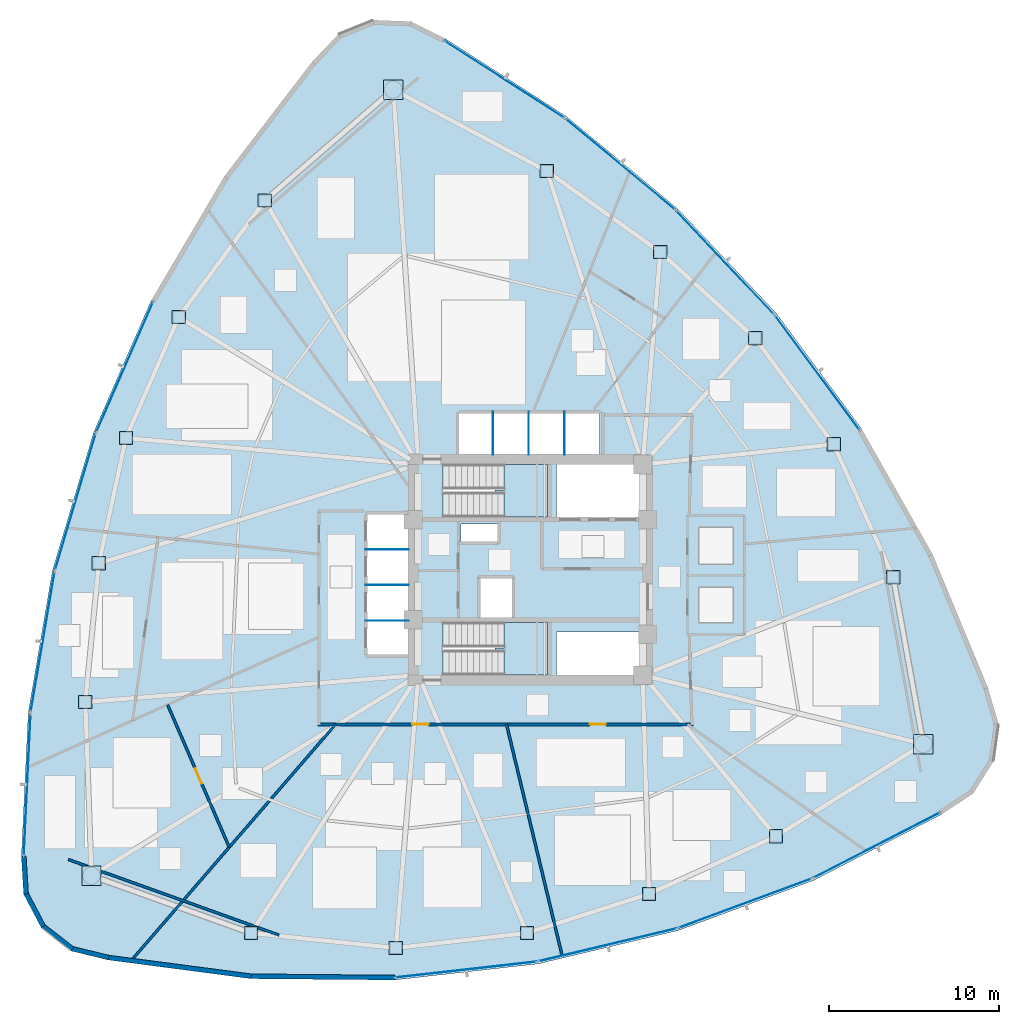
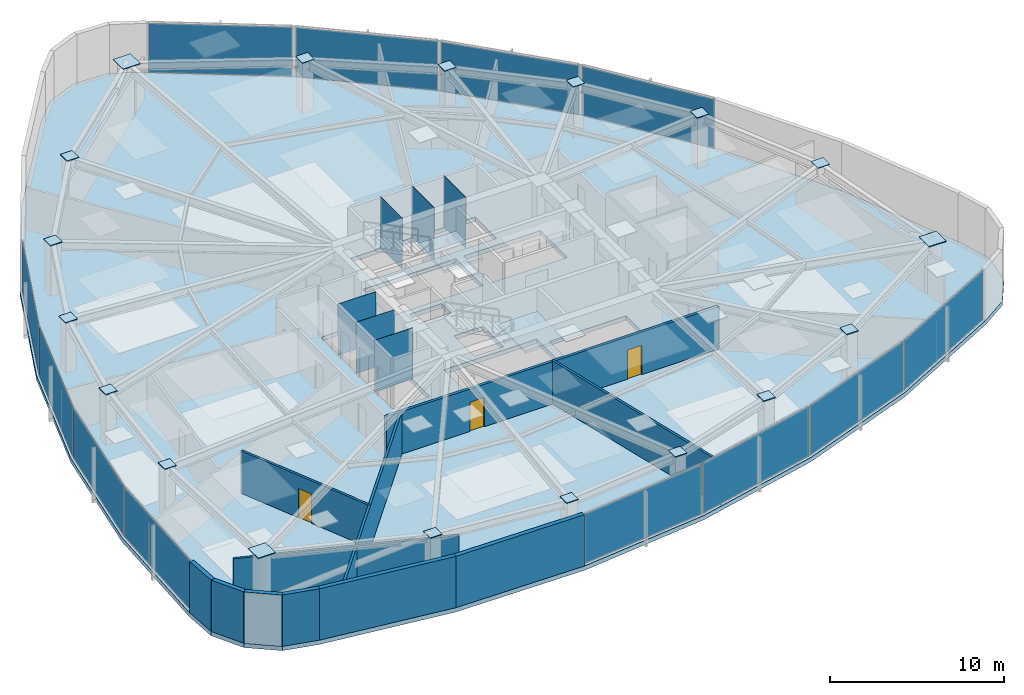
# One storey, part 10 of 17: 36 plates, 11 walls, 3 doors, 3 slabs, 3 openings, 14 elements without a shape of their own.
"""IFC4 building model written with IfcOpenShell, lengths in metres."""

from ifc_helpers import new_model, si_unit, direction, frame, frame_2d, origin, origin_2d, place, context, subcontext, project, spatial, polyline, rectangle, outline, extrude, source, transform, mapped, material, layer, layer_set, type_object, type_shapes, element, fill, aggregate, save


model = new_model("IFC4")

# Units and contexts
model_context = context("Model", 3, precision=1e-05, world=origin(), true_north=direction((0.0, 1.0)))
body_context = subcontext(model_context, "Body", "Model", "MODEL_VIEW")
ifc_project = project(units=[si_unit("LENGTHUNIT", "METRE"), si_unit("AREAUNIT", "SQUARE_METRE"), si_unit("VOLUMEUNIT", "CUBIC_METRE"), si_unit("PLANEANGLEUNIT", "RADIAN"), si_unit("MASSUNIT", "GRAM", prefix="KILO")], contexts=[model_context])

# Site, building, storey
site_placement = place(None, origin())
site = spatial("IfcSite", under=ifc_project, at=site_placement, CompositionType="ELEMENT")
building_placement = place(site_placement, origin())
building = spatial("IfcBuilding", under=site, at=building_placement, Name="Tavelor Broadcast Tower", CompositionType="ELEMENT")
storey_placement = place(building_placement, frame((0.0, 0.0, 66.60009765625)))
storey = spatial("IfcBuildingStorey", under=building, at=storey_placement, Name="L15", CompositionType="ELEMENT", Elevation=66.60009765625)

# Stair, slab
ifc_material_1 = material(Name="Concrete C40/50", Category="concrete")
stair_type = type_object("IfcStairType", Name="Reinforced Concrete Protected Dogleg Stair 1450 mm", PredefinedType="HALF_TURN_STAIR", material=ifc_material_1)
stair_1_placement = place(storey_placement, origin())
stair_1 = element("IfcStair", 1, at=stair_1_placement, inside=storey, type_object=stair_type, Name="L15 Protected Core Exit Stair ST1", PredefinedType="HALF_TURN_STAIR")
ifc_layer_1 = layer(ifc_material_1, 0.199951171875)
ifc_layer_set_1 = layer_set([ifc_layer_1], Name="Concrete C40/50")
slab_type_1 = type_object("IfcSlabType", Name="Reinforced Concrete Stair Half-Landing Slab 200 mm", PredefinedType="LANDING", material=ifc_layer_set_1)
slab_1_placement = place(storey_placement, frame((0.0, 0.0, 1.75)))
slab_1 = element("IfcSlab", 2, at=slab_1_placement, type_object=slab_type_1, Name="ST1 landing 1", PredefinedType="LANDING", context=body_context, shape_type="SweptSolid", body=[
    extrude(outline(polyline([(48.445068359375, 49.590087890625), (48.445068359375, 48.094970703125), (51.0048828125, 48.094970703125), (51.0048828125, 51.205078125), (48.445068359375, 51.205078125), (48.445068359375, 49.7099609375), (47.905029296875, 49.7099609375), (47.905029296875, 49.590087890625), (48.445068359375, 49.590087890625)])), origin(), (0.0, 0.0, 1.0), 0.199951171875),
])
aggregate(stair_1, [slab_1])

stair_2_placement = place(storey_placement, origin())
stair_2 = element("IfcStair", 3, at=stair_2_placement, inside=storey, type_object=stair_type, Name="L15 Protected Core Exit Stair ST2", PredefinedType="HALF_TURN_STAIR")
slab_2_placement = place(storey_placement, frame((0.0, 0.0, 1.75)))
slab_2 = element("IfcSlab", 4, at=slab_2_placement, type_object=slab_type_1, Name="ST2 landing 1", PredefinedType="LANDING", context=body_context, shape_type="SweptSolid", body=[
    extrude(outline(polyline([(48.445068359375, 40.2900390625), (48.445068359375, 38.794921875), (51.0048828125, 38.794921875), (51.0048828125, 41.905029296875), (48.445068359375, 41.905029296875), (48.445068359375, 40.409912109375), (47.905029296875, 40.409912109375), (47.905029296875, 40.2900390625), (48.445068359375, 40.2900390625)])), origin(), (0.0, 0.0, 1.0), 0.199951171875),
])
aggregate(stair_2, [slab_2])

# Slab
ifc_layer_2 = layer(ifc_material_1, 0.300048828125)
ifc_layer_set_2 = layer_set([ifc_layer_2], Name="Concrete C40/50")
slab_type_2 = type_object("IfcSlabType", Name="Tower Composite Floor Slab 300 mm", PredefinedType="FLOOR", material=ifc_layer_set_2)
slab_3_placement = place(storey_placement, frame((0.0, 0.0, -0.300048828125)))
element("IfcSlab", 5, at=slab_3_placement, inside=storey, type_object=slab_type_2, Name="L15 Structural Floor Slab", PredefinedType="FLOOR", context=body_context, shape_type="SweptSolid", body=[
    extrude(outline(polyline([(44.9736328125, 76.27099609375), (42.97998046875, 77.26708984375), (40.753173828125, 77.354736328125), (38.6875, 76.51806640625), (37.1494140625, 74.905517578125), (31.98828125, 68.173583984375), (27.6796875, 60.86669921875), (24.287109375, 53.09228515625), (21.860107421875, 44.964111328125), (20.434814453125, 36.602294921875), (20.031494140625, 28.129150390625), (20.165771484375, 25.904541015625), (21.203369140625, 23.932373046875), (22.960693359375, 22.56201171875), (25.126220703125, 22.035888671875), (33.536865234375, 20.93212890625), (42.01904296875, 20.8544921875), (50.448486328125, 21.803466796875), (58.700927734375, 23.765869140625), (66.655517578125, 26.71240234375), (74.19482421875, 30.599853515625), (76.05419921875, 31.828125), (77.243408203125, 33.712890625), (77.5517578125, 35.920166015625), (76.92431640625, 38.05859375), (73.6748046875, 45.89404296875), (69.501220703125, 53.27880859375), (64.464599609375, 60.104248046875), (58.638916015625, 66.27001953125), (52.10986328125, 71.685546875), (44.9736328125, 76.27099609375)]), holes=[polyline([(56.60009765625, 38.800048828125), (51.52001953125, 38.800048828125), (51.52001953125, 41.35009765625), (56.60009765625, 41.35009765625), (56.60009765625, 38.800048828125)]), polyline([(50.99609375, 38.803955078125), (44.85400390625, 38.803955078125), (44.85400390625, 41.89599609375), (50.99609375, 41.89599609375), (50.99609375, 38.803955078125)]), polyline([(47.050048828125, 42.199951171875), (47.050048828125, 44.550048828125), (48.949951171875, 44.550048828125), (48.949951171875, 42.199951171875), (47.050048828125, 42.199951171875)]), polyline([(40.35009765625, 40.0), (40.35009765625, 48.25), (42.800048828125, 48.25), (42.800048828125, 40.0), (40.35009765625, 40.0)]), polyline([(48.050048828125, 46.64990234375), (45.89990234375, 46.64990234375), (45.89990234375, 47.699951171875), (48.050048828125, 47.699951171875), (48.050048828125, 46.64990234375)]), polyline([(50.99609375, 48.10400390625), (44.85400390625, 48.10400390625), (44.85400390625, 51.196044921875), (50.99609375, 51.196044921875), (50.99609375, 48.10400390625)]), polyline([(56.60009765625, 48.10009765625), (51.52001953125, 48.10009765625), (51.52001953125, 51.199951171875), (56.60009765625, 51.199951171875), (56.60009765625, 48.10009765625)]), polyline([(54.050048828125, 51.800048828125), (45.800048828125, 51.800048828125), (45.800048828125, 54.25), (54.050048828125, 54.25), (54.050048828125, 51.800048828125)])]), origin(), (0.0, 0.0, 1.0), 0.300048828125),
])

# Plates
ifc_material_2 = material(Name="Steel S460", Category="steel")
ifc_layer_3 = layer(ifc_material_2, 0.050048828125)
ifc_layer_set_3 = layer_set([ifc_layer_3], Name="Steel S460")
plate_type_1 = type_object("IfcPlateType", Name="Tube Hollow-End Cap Plate KN05 700x700x50", PredefinedType="USERDEFINED", material=ifc_layer_set_3)
shared_shape_1 = source(origin(), body_context, "Body", "SweptSolid", [
    extrude(rectangle(XDim=1.14697265625, YDim=1.14697265625, at=origin_2d()), origin(), (0.0, 0.0, 1.0), 0.054931640625),
])
for number, where, z_axis, x_axis, name in (
    (6, (41.923095703125, 73.266357421875, 3.572265625), (0.0, 0.0, 1.0), (1.0, 0.0, 0.0), "L15 Hollow End Cap Plate KN05 #472"),
    (7, (24.1591796875, 26.98974609375, 3.572265625), (0.0, 0.0, 1.0), (1.0, 0.0, 0.0), "L15 Hollow End Cap Plate KN05 #478"),
    (8, (73.117919921875, 34.743896484375, 3.572265625), (0.0, 0.0, 1.0), (1.0, 0.0, 0.0), "L15 Hollow End Cap Plate KN05 #484"),
):
    element("IfcPlate", number, at=place(storey_placement, frame(where, z_axis=z_axis, x_axis=x_axis)), inside=storey, type_object=plate_type_1, Name=name, ObjectType="CAP PLATE", PredefinedType="USERDEFINED", context=body_context, shape_type="MappedRepresentation", body=[
        mapped(shared_shape_1, transform((0.0, 0.0, 0.0), scale=1.0)),
    ])
shared_shape_2 = source(origin(), body_context, "Body", "SweptSolid", [
    extrude(rectangle(XDim=0.780029296875, YDim=0.780029296875, at=origin_2d()), origin(), (0.0, 0.0, 1.0), 0.054931640625),
])
type_shapes(plate_type_1, [shared_shape_1, shared_shape_2])
for number, where, z_axis, x_axis, name in (
    (9, (34.356201171875, 66.727783203125, 3.572265625), (0.0, 0.0, 1.0), (1.0, 0.0, 0.0), "L15 Hollow End Cap Plate KN05 #473"),
    (10, (29.292236328125, 59.87158203125, 3.572265625), (0.0, 0.0, 1.0), (1.0, 0.0, 0.0), "L15 Hollow End Cap Plate KN05 #474"),
    (11, (26.189208984375, 52.75830078125, 3.572265625), (0.0, 0.0, 1.0), (1.0, 0.0, 0.0), "L15 Hollow End Cap Plate KN05 #475"),
    (12, (24.58984375, 45.380615234375, 3.572265625), (0.0, 0.0, 1.0), (1.0, 0.0, 0.0), "L15 Hollow End Cap Plate KN05 #476"),
    (13, (23.794677734375, 37.21630859375, 3.572265625), (0.0, 0.0, 1.0), (1.0, 0.0, 0.0), "L15 Hollow End Cap Plate KN05 #477"),
    (14, (33.55078125, 23.615478515625, 3.572265625), (0.0, 0.0, 1.0), (1.0, 0.0, 0.0), "L15 Hollow End Cap Plate KN05 #479"),
    (15, (42.0732421875, 22.740478515625, 3.572265625), (0.0, 0.0, 1.0), (1.0, 0.0, 0.0), "L15 Hollow End Cap Plate KN05 #480"),
    (16, (49.78662109375, 23.617919921875, 3.572265625), (0.0, 0.0, 1.0), (1.0, 0.0, 0.0), "L15 Hollow End Cap Plate KN05 #481"),
    (17, (56.975341796875, 25.92138671875, 3.572265625), (0.0, 0.0, 1.0), (1.0, 0.0, 0.0), "L15 Hollow End Cap Plate KN05 #482"),
    (18, (64.443603515625, 29.31494140625, 3.572265625), (0.0, 0.0, 1.0), (1.0, 0.0, 0.0), "L15 Hollow End Cap Plate KN05 #483"),
    (19, (71.343994140625, 44.564697265625, 3.572265625), (0.0, 0.0, 1.0), (1.0, 0.0, 0.0), "L15 Hollow End Cap Plate KN05 #485"),
    (20, (67.8408203125, 52.382568359375, 3.572265625), (0.0, 0.0, 1.0), (1.0, 0.0, 0.0), "L15 Hollow End Cap Plate KN05 #486"),
    (21, (63.22412109375, 58.623779296875, 3.572265625), (0.0, 0.0, 1.0), (1.0, 0.0, 0.0), "L15 Hollow End Cap Plate KN05 #487"),
    (22, (57.634765625, 63.69775390625, 3.572265625), (0.0, 0.0, 1.0), (1.0, 0.0, 0.0), "L15 Hollow End Cap Plate KN05 #488"),
    (23, (50.9619140625, 68.468505859375, 3.572265625), (0.0, 0.0, 1.0), (1.0, 0.0, 0.0), "L15 Hollow End Cap Plate KN05 #489"),
):
    element("IfcPlate", number, at=place(storey_placement, frame(where, z_axis=z_axis, x_axis=x_axis)), inside=storey, type_object=plate_type_1, Name=name, ObjectType="CAP PLATE", PredefinedType="USERDEFINED", context=body_context, shape_type="MappedRepresentation", body=[
        mapped(shared_shape_2, transform((0.0, 0.0, 0.0), scale=1.0)),
    ])
ifc_material_3 = material(Name="Steel S355", Category="steel")
ifc_layer_4 = layer(ifc_material_3, 0.011962890625)
ifc_layer_set_4 = layer_set([ifc_layer_4], Name="Steel S355")
plate_type_2 = type_object("IfcPlateType", Name="Hoistway Steel Separator Screen 12 mm", PredefinedType="SHEET", material=ifc_layer_set_4)
shared_shape_3 = source(origin(), body_context, "Body", "SweptSolid", [
    extrude(rectangle(XDim=2.52001953125, YDim=0.02001953125, at=origin_2d()), origin(), (0.0, 0.0, 1.0), 3.60009765625),
])
for number, where, z_axis, x_axis, name in (
    (24, (41.56005859375, 42.0, -0.000244140625), (0.0, 0.0, 1.0), (1.0, 0.0, 0.0), "L15 Low-Rise Hoistway Separator Screen 1"),
    (25, (41.56005859375, 44.10009765625, -0.000244140625), (0.0, 0.0, 1.0), (1.0, 0.0, 0.0), "L15 Low-Rise Hoistway Separator Screen 2"),
    (26, (41.56005859375, 46.199951171875, -0.000244140625), (0.0, 0.0, 1.0), (1.0, 0.0, 0.0), "L15 Low-Rise Hoistway Separator Screen 3"),
):
    element("IfcPlate", number, at=place(storey_placement, frame(where, z_axis=z_axis, x_axis=x_axis)), inside=storey, type_object=plate_type_2, Name=name, PredefinedType="SHEET", context=body_context, shape_type="MappedRepresentation", body=[
        mapped(shared_shape_3, transform((0.0, 0.0, 0.0), scale=1.0)),
    ])
shared_shape_4 = source(origin(), body_context, "Body", "SweptSolid", [
    extrude(rectangle(XDim=0.02001953125, YDim=2.52001953125, at=origin_2d()), origin(), (0.0, 0.0, 1.0), 3.60009765625),
])
type_shapes(plate_type_2, [shared_shape_3, shared_shape_4])
for number, where, z_axis, x_axis, name in (
    (27, (47.800048828125, 53.0400390625, -0.000244140625), (0.0, 0.0, 1.0), (1.0, 0.0, 0.0), "L15 High-Rise Hoistway Separator Screen 1"),
    (28, (49.89990234375, 53.0400390625, -0.000244140625), (0.0, 0.0, 1.0), (1.0, 0.0, 0.0), "L15 High-Rise Hoistway Separator Screen 2"),
    (29, (52.0, 53.0400390625, -0.000244140625), (0.0, 0.0, 1.0), (1.0, 0.0, 0.0), "L15 High-Rise Hoistway Separator Screen 3"),
):
    element("IfcPlate", number, at=place(storey_placement, frame(where, z_axis=z_axis, x_axis=x_axis)), inside=storey, type_object=plate_type_2, Name=name, PredefinedType="SHEET", context=body_context, shape_type="MappedRepresentation", body=[
        mapped(shared_shape_4, transform((0.0, 0.0, 0.0), scale=1.0)),
    ])

# Curtain wall, plate
ifc_material_4 = material(Name="Architectural Anodized Aluminium", Category="aluminium")
ifc_layer_5 = layer(ifc_material_4, 0.179931640625)
ifc_layer_set_5 = layer_set([ifc_layer_5], Name="Architectural Anodized Aluminium")
curtain_wall_type = type_object("IfcCurtainWallType", Name="Tower Low-Zone Unitised Curtain Wall CW02", PredefinedType="NOTDEFINED", material=ifc_layer_set_5)
curtain_wall_1_placement = place(storey_placement, origin())
curtain_wall_1 = element("IfcCurtainWall", 30, at=curtain_wall_1_placement, inside=storey, type_object=curtain_wall_type, Name="L15 Curtain Wall CW02 Run 133", PredefinedType="NOTDEFINED")
ifc_material_5 = material(Name="Acoustic Double Glazing 28 mm", Category="glass")
ifc_layer_6 = layer(ifc_material_5, 0.028076171875)
ifc_layer_set_6 = layer_set([ifc_layer_6], Name="Acoustic Double Glazing 28 mm")
plate_type_3 = type_object("IfcPlateType", Name="CW02 Insulated Vision Glazing Panel 28 mm", PredefinedType="CURTAIN_PANEL", material=ifc_layer_set_6)
shared_shape_5 = source(origin(), body_context, "Body", "SweptSolid", [
    extrude(rectangle(XDim=8.320556640625, YDim=0.028076171875, at=origin_2d()), origin(), (0.0, 0.0, 1.0), 3.469970703125),
])
plate_1_placement = place(storey_placement, frame((26.11474609375, 56.930419921875, 0.06494140625), z_axis=(0.0, 0.0, 1.0), x_axis=(-0.399947709313, -0.916537958742, 0.0)))
plate_1 = element("IfcPlate", 31, at=plate_1_placement, type_object=plate_type_3, Name="CW02 panel 1.1", PredefinedType="CURTAIN_PANEL", context=body_context, shape_type="MappedRepresentation", body=[
    mapped(shared_shape_5, transform((0.0, 0.0, 0.0), scale=1.0)),
])
aggregate(curtain_wall_1, [plate_1])

curtain_wall_2_placement = place(storey_placement, origin())
curtain_wall_2 = element("IfcCurtainWall", 32, at=curtain_wall_2_placement, inside=storey, type_object=curtain_wall_type, Name="L15 Curtain Wall CW02 Run 137", PredefinedType="NOTDEFINED")
plate_2_placement = place(storey_placement, frame((46.210693359375, 21.46728515625, 0.06494140625), z_axis=(0.0, 0.0, 1.0), x_axis=(0.993721041384, 0.111886066649, 0.0)))
plate_2 = element("IfcPlate", 33, at=plate_2_placement, type_object=plate_type_3, Name="CW02 panel 1.1", PredefinedType="CURTAIN_PANEL", context=body_context, shape_type="MappedRepresentation", body=[
    mapped(shared_shape_5, transform((0.0, 0.0, 0.0), scale=1.0)),
])
aggregate(curtain_wall_2, [plate_2])

curtain_wall_3_placement = place(storey_placement, origin())
curtain_wall_3 = element("IfcCurtainWall", 34, at=curtain_wall_3_placement, inside=storey, type_object=curtain_wall_type, Name="L15 Curtain Wall CW02 Run 134", PredefinedType="NOTDEFINED")
shared_shape_6 = source(origin(), body_context, "Body", "SweptSolid", [
    extrude(rectangle(XDim=8.3056640625, YDim=0.028076171875, at=origin_2d()), origin(), (0.0, 0.0, 1.0), 3.469970703125),
])
plate_3_placement = place(storey_placement, frame((23.207763671875, 48.988037109375, 0.06494140625), z_axis=(0.0, 0.0, 1.0), x_axis=(-0.286096934572, -0.958200680457, 0.0)))
plate_3 = element("IfcPlate", 35, at=plate_3_placement, type_object=plate_type_3, Name="CW02 panel 1.1", PredefinedType="CURTAIN_PANEL", context=body_context, shape_type="MappedRepresentation", body=[
    mapped(shared_shape_6, transform((0.0, 0.0, 0.0), scale=1.0)),
])
aggregate(curtain_wall_3, [plate_3])

curtain_wall_4_placement = place(storey_placement, origin())
curtain_wall_4 = element("IfcCurtainWall", 36, at=curtain_wall_4_placement, inside=storey, type_object=curtain_wall_type, Name="L15 Curtain Wall CW02 Run 135", PredefinedType="NOTDEFINED")
plate_4_placement = place(storey_placement, frame((21.285400390625, 40.759521484375, 0.06494140625), z_axis=(0.0, 0.0, 1.0), x_axis=(-0.168050348611, -0.985778413403, 0.0)))
plate_4 = element("IfcPlate", 37, at=plate_4_placement, type_object=plate_type_3, Name="CW02 panel 1.1", PredefinedType="CURTAIN_PANEL", context=body_context, shape_type="MappedRepresentation", body=[
    mapped(shared_shape_6, transform((0.0, 0.0, 0.0), scale=1.0)),
])
aggregate(curtain_wall_4, [plate_4])

curtain_wall_5_placement = place(storey_placement, origin())
curtain_wall_5 = element("IfcCurtainWall", 38, at=curtain_wall_5_placement, inside=storey, type_object=curtain_wall_type, Name="L15 Curtain Wall CW02 Run 138", PredefinedType="NOTDEFINED")
plate_5_placement = place(storey_placement, frame((54.542236328125, 22.9208984375, 0.06494140625), z_axis=(0.0, 0.0, 1.0), x_axis=(0.972872951066, 0.23134005508, 0.0)))
plate_5 = element("IfcPlate", 39, at=plate_5_placement, type_object=plate_type_3, Name="CW02 panel 1.1", PredefinedType="CURTAIN_PANEL", context=body_context, shape_type="MappedRepresentation", body=[
    mapped(shared_shape_6, transform((0.0, 0.0, 0.0), scale=1.0)),
])
aggregate(curtain_wall_5, [plate_5])

curtain_wall_6_placement = place(storey_placement, origin())
curtain_wall_6 = element("IfcCurtainWall", 40, at=curtain_wall_6_placement, inside=storey, type_object=curtain_wall_type, Name="L15 Curtain Wall CW02 Run 139", PredefinedType="NOTDEFINED")
plate_6_placement = place(storey_placement, frame((62.629638671875, 25.370361328125, 0.06494140625), z_axis=(0.0, 0.0, 1.0), x_axis=(0.937731027717, 0.34736223119, 0.0)))
plate_6 = element("IfcPlate", 41, at=plate_6_placement, type_object=plate_type_3, Name="CW02 panel 1.1", PredefinedType="CURTAIN_PANEL", context=body_context, shape_type="MappedRepresentation", body=[
    mapped(shared_shape_6, transform((0.0, 0.0, 0.0), scale=1.0)),
])
aggregate(curtain_wall_6, [plate_6])

curtain_wall_7_placement = place(storey_placement, origin())
curtain_wall_7 = element("IfcCurtainWall", 42, at=curtain_wall_7_placement, inside=storey, type_object=curtain_wall_type, Name="L15 Curtain Wall CW02 Run 142", PredefinedType="NOTDEFINED")
plate_7_placement = place(storey_placement, frame((61.449951171875, 63.091064453125, 0.06494140625), z_axis=(0.0, 0.0, 1.0), x_axis=(-0.686770414966, 0.726874402581, 0.0)))
plate_7 = element("IfcPlate", 43, at=plate_7_placement, type_object=plate_type_3, Name="CW02 panel 1.1", PredefinedType="CURTAIN_PANEL", context=body_context, shape_type="MappedRepresentation", body=[
    mapped(shared_shape_6, transform((0.0, 0.0, 0.0), scale=1.0)),
])
aggregate(curtain_wall_7, [plate_7])

curtain_wall_8_placement = place(storey_placement, origin())
curtain_wall_8 = element("IfcCurtainWall", 44, at=curtain_wall_8_placement, inside=storey, type_object=curtain_wall_type, Name="L15 Curtain Wall CW02 Run 143", PredefinedType="NOTDEFINED")
plate_8_placement = place(storey_placement, frame((55.284912109375, 68.869873046875, 0.06494140625), z_axis=(0.0, 0.0, 1.0), x_axis=(-0.769686494514, 0.638422039221, 0.0)))
plate_8 = element("IfcPlate", 45, at=plate_8_placement, type_object=plate_type_3, Name="CW02 panel 1.1", PredefinedType="CURTAIN_PANEL", context=body_context, shape_type="MappedRepresentation", body=[
    mapped(shared_shape_6, transform((0.0, 0.0, 0.0), scale=1.0)),
])
aggregate(curtain_wall_8, [plate_8])

curtain_wall_9_placement = place(storey_placement, origin())
curtain_wall_9 = element("IfcCurtainWall", 46, at=curtain_wall_9_placement, inside=storey, type_object=curtain_wall_type, Name="L15 Curtain Wall CW02 Run 136", PredefinedType="NOTDEFINED")
shared_shape_7 = source(origin(), body_context, "Body", "SweptSolid", [
    extrude(rectangle(XDim=8.321533203125, YDim=0.028076171875, at=origin_2d()), origin(), (0.0, 0.0, 1.0), 3.469970703125),
])
plate_9_placement = place(storey_placement, frame((20.37255859375, 32.35107421875, 0.06494140625), z_axis=(0.0, 0.0, 1.0), x_axis=(-0.047517366232, -0.998870411969, 0.0)))
plate_9 = element("IfcPlate", 47, at=plate_9_placement, type_object=plate_type_3, Name="CW02 panel 1.1", PredefinedType="CURTAIN_PANEL", context=body_context, shape_type="MappedRepresentation", body=[
    mapped(shared_shape_7, transform((0.0, 0.0, 0.0), scale=1.0)),
])
aggregate(curtain_wall_9, [plate_9])

curtain_wall_10_placement = place(storey_placement, origin())
curtain_wall_10 = element("IfcCurtainWall", 48, at=curtain_wall_10_placement, inside=storey, type_object=curtain_wall_type, Name="L15 Curtain Wall CW02 Run 140", PredefinedType="NOTDEFINED")
plate_10_placement = place(storey_placement, frame((70.367919921875, 28.7841796875, 0.06494140625), z_axis=(0.0, 0.0, 1.0), x_axis=(0.888801811906, 0.45829176204, 0.0)))
plate_10 = element("IfcPlate", 49, at=plate_10_placement, type_object=plate_type_3, Name="CW02 panel 1.1", PredefinedType="CURTAIN_PANEL", context=body_context, shape_type="MappedRepresentation", body=[
    mapped(shared_shape_7, transform((0.0, 0.0, 0.0), scale=1.0)),
])
aggregate(curtain_wall_10, [plate_10])

curtain_wall_11_placement = place(storey_placement, origin())
curtain_wall_11 = element("IfcCurtainWall", 50, at=curtain_wall_11_placement, inside=storey, type_object=curtain_wall_type, Name="L15 Curtain Wall CW02 Run 144", PredefinedType="NOTDEFINED")
plate_11_placement = place(storey_placement, frame((48.459228515625, 73.86474609375, 0.06494140625), z_axis=(0.0, 0.0, 1.0), x_axis=(-0.841284949337, 0.540591929295, 0.0)))
plate_11 = element("IfcPlate", 51, at=plate_11_placement, type_object=plate_type_3, Name="CW02 panel 1.1", PredefinedType="CURTAIN_PANEL", context=body_context, shape_type="MappedRepresentation", body=[
    mapped(shared_shape_7, transform((0.0, 0.0, 0.0), scale=1.0)),
])
aggregate(curtain_wall_11, [plate_11])

curtain_wall_12_placement = place(storey_placement, origin())
curtain_wall_12 = element("IfcCurtainWall", 52, at=curtain_wall_12_placement, inside=storey, type_object=curtain_wall_type, Name="L15 Curtain Wall CW02 Run 141", PredefinedType="NOTDEFINED")
shared_shape_8 = source(origin(), body_context, "Body", "SweptSolid", [
    extrude(rectangle(XDim=8.32080078125, YDim=0.028076171875, at=origin_2d()), origin(), (0.0, 0.0, 1.0), 3.469970703125),
])
type_shapes(plate_type_3, [shared_shape_5, shared_shape_6, shared_shape_7, shared_shape_8])
plate_12_placement = place(storey_placement, frame((66.874755859375, 56.602294921875, 0.06494140625), z_axis=(0.0, 0.0, 1.0), x_axis=(-0.593760370888, 0.80464192158, 0.0)))
plate_12 = element("IfcPlate", 53, at=plate_12_placement, type_object=plate_type_3, Name="CW02 panel 1.1", PredefinedType="CURTAIN_PANEL", context=body_context, shape_type="MappedRepresentation", body=[
    mapped(shared_shape_8, transform((0.0, 0.0, 0.0), scale=1.0)),
])
aggregate(curtain_wall_12, [plate_12])

# Wall, openings, doors
ifc_material_6 = material(Name="Calcium Silicate Fire Board 180 mm", Category="gypsum")
ifc_layer_7 = layer(ifc_material_6, 0.179931640625)
ifc_layer_set_7 = layer_set([ifc_layer_7], Name="Calcium Silicate Fire Board 180 mm")
wall_type_1 = type_object("IfcWallType", Name="Fire-Rated Corridor Partition Wall 180 mm", PredefinedType="PARTITIONING", material=ifc_layer_set_7)
wall_1_placement = place(storey_placement, frame((59.550048828125, 35.89990234375, 0.0), z_axis=(0.0, 0.0, 1.0), x_axis=(-1.0, 0.0, 0.0)))
wall_1 = element("IfcWall", 54, at=wall_1_placement, inside=storey, type_object=wall_type_1, Name="L15 Corridor Compartment Wall 04", PredefinedType="PARTITIONING", context=body_context, shape_type="SweptSolid", body=[
    extrude(rectangle(XDim=22.050048828125, YDim=0.179931640625, at=frame_2d((11.02490234375, 0.0))), origin(), (0.0, 0.0, 1.0), 2.974853515625),
])
opening_1_placement = place(wall_1_placement, frame((5.110107421875, 0.0, 0.0)))
opening_1 = element("IfcOpeningElement", 55, at=opening_1_placement, cuts=wall_1, Name="Opening DR18", PredefinedType="OPENING", context=body_context, shape_type="SweptSolid", body=[
    extrude(rectangle(XDim=0.949951171875, YDim=2.050048828125, at=frame_2d((0.47509765625, 1.02490234375))), frame((0.0, 0.10009765625, 0.0), z_axis=(0.0, -1.0, 0.0), x_axis=(1.0, 0.0, 0.0)), (0.0, 0.0, 1.0), 0.199951171875),
])
opening_2_placement = place(wall_1_placement, frame((15.549560546875, 0.0, 0.0)))
opening_2 = element("IfcOpeningElement", 56, at=opening_2_placement, cuts=wall_1, Name="Opening DR18", PredefinedType="OPENING", context=body_context, shape_type="SweptSolid", body=[
    extrude(rectangle(XDim=0.949951171875, YDim=2.050048828125, at=frame_2d((0.47509765625, 1.02490234375))), frame((0.0, 0.10009765625, 0.0), z_axis=(0.0, -1.0, 0.0), x_axis=(1.0, 0.0, 0.0)), (0.0, 0.0, 1.0), 0.199951171875),
])
ifc_material_7 = material(Name="Timber Solid Core Hardwood", Category="wood")
door_type_1 = type_object("IfcDoorType", Name="Corridor Rated Compartment Door 950x2050", OperationType="NOTDEFINED", PredefinedType="DOOR", material=ifc_material_7)
door_1_placement = place(opening_1_placement, origin())
door_1 = element("IfcDoor", 57, at=door_1_placement, inside=storey, type_object=door_type_1, Name="L15 Digital Publishing Workspace Door R8", OperationType="SINGLE_SWING_LEFT", OverallHeight=2.050048828125, OverallWidth=0.949951171875, PredefinedType="DOOR", context=body_context, shape_type="SweptSolid", body=[
    extrude(rectangle(XDim=0.949951171875, YDim=2.050048828125, at=frame_2d((0.47509765625, 1.02490234375))), frame((0.0, 0.02490234375, 0.0), z_axis=(0.0, -1.0, 0.0), x_axis=(1.0, 0.0, 0.0)), (0.0, 0.0, 1.0), 0.050048828125),
])
fill(opening_1, door_1)
door_2_placement = place(opening_2_placement, origin())
door_2 = element("IfcDoor", 58, at=door_2_placement, inside=storey, type_object=door_type_1, Name="L15 Wellness Quiet Room Door R0", OperationType="SINGLE_SWING_RIGHT", OverallHeight=2.050048828125, OverallWidth=0.949951171875, PredefinedType="DOOR", context=body_context, shape_type="SweptSolid", body=[
    extrude(rectangle(XDim=0.949951171875, YDim=2.050048828125, at=frame_2d((0.47509765625, 1.02490234375))), frame((0.0, 0.02490234375, 0.0), z_axis=(0.0, -1.0, 0.0), x_axis=(1.0, 0.0, 0.0)), (0.0, 0.0, 1.0), 0.050048828125),
])
fill(opening_2, door_2)

# Walls
ifc_material_8 = material(Name="Precast Concrete C40/50", Category="concrete")
ifc_layer_8 = layer(ifc_material_8, 0.280029296875)
ifc_layer_set_8 = layer_set([ifc_layer_8], Name="Precast Concrete C40/50")
wall_type_2 = type_object("IfcWallType", Name="Insulated Precast Terracotta Facade Wall 280 mm", PredefinedType="STANDARD", material=ifc_layer_set_8)
wall_2_placement = place(storey_placement, frame((20.171630859375, 28.134033203125, 0.0), z_axis=(0.0, 0.0, 1.0), x_axis=(0.060094822276, -0.998192672952, 0.0)))
element("IfcWall", 59, at=wall_2_placement, inside=storey, type_object=wall_type_2, Name="L15 Rounded Corner Structural Cladding Pier 11", PredefinedType="STANDARD", context=body_context, shape_type="SweptSolid", body=[
    extrude(rectangle(XDim=2.2099609375, YDim=0.280029296875, at=frame_2d((1.10498046875, 0.0))), origin(), (0.0, 0.0, 1.0), 3.599853515625),
])
for number, where, z_axis, x_axis, name in (
    (60, (20.296630859375, 25.956298828125, 0.0), (0.0, 0.0, 1.0), (0.46568692517, -0.88494953965, 0.0), "L15 Rounded Corner Structural Cladding Pier 12"),
    (61, (21.301513671875, 24.033447265625, 0.0), (0.0, 0.0, 1.0), (0.788556164045, -0.614962743706, 0.0), "L15 Rounded Corner Structural Cladding Pier 13"),
):
    element("IfcWall", number, at=place(storey_placement, frame(where, z_axis=z_axis, x_axis=x_axis)), inside=storey, type_object=wall_type_2, Name=name, PredefinedType="STANDARD", context=body_context, shape_type="SweptSolid", body=[
        extrude(rectangle(XDim=2.1982421875, YDim=0.280029296875, at=frame_2d((1.09912109375, 0.0))), origin(), (0.0, 0.0, 1.0), 3.599853515625),
    ])
wall_3_placement = place(storey_placement, frame((23.008544921875, 22.6943359375, 0.0), z_axis=(0.0, 0.0, 1.0), x_axis=(0.971743978385, -0.236037370923, 0.0)))
element("IfcWall", 62, at=wall_3_placement, inside=storey, type_object=wall_type_2, Name="L15 Rounded Corner Structural Cladding Pier 14", PredefinedType="STANDARD", context=body_context, shape_type="SweptSolid", body=[
    extrude(rectangle(XDim=2.220703125, YDim=0.280029296875, at=frame_2d((1.1103515625, 0.0))), origin(), (0.0, 0.0, 1.0), 3.599853515625),
])
wall_4_placement = place(storey_placement, frame((25.13720703125, 22.17578125, 0.0), z_axis=(0.0, 0.0, 1.0), x_axis=(0.991499810611, -0.130108130251, 0.0)))
element("IfcWall", 63, at=wall_4_placement, inside=storey, type_object=wall_type_2, Name="L15 Rounded Corner Structural Cladding Pier 15", PredefinedType="STANDARD", context=body_context, shape_type="SweptSolid", body=[
    extrude(rectangle(XDim=8.49658203125, YDim=0.280029296875, at=frame_2d((4.248291015625, 0.0))), origin(), (0.0, 0.0, 1.0), 3.599853515625),
])
wall_5_placement = place(storey_placement, frame((33.531494140625, 21.072265625, 0.0), z_axis=(0.0, 0.0, 1.0), x_axis=(0.999957872633, -0.009178941108, 0.0)))
element("IfcWall", 64, at=wall_5_placement, inside=storey, type_object=wall_type_2, Name="L15 Rounded Corner Structural Cladding Pier 16", PredefinedType="STANDARD", context=body_context, shape_type="SweptSolid", body=[
    extrude(rectangle(XDim=8.484619140625, YDim=0.280029296875, at=frame_2d((4.2421875, 0.0))), origin(), (0.0, 0.0, 1.0), 3.599853515625),
])
ifc_material_9 = material(Name="Gypsum Acoustic Plasterboard 150 mm", Category="gypsum")
ifc_layer_9 = layer(ifc_material_9, 0.14990234375)
ifc_layer_set_9 = layer_set([ifc_layer_9], Name="Gypsum Acoustic Plasterboard 150 mm")
wall_type_3 = type_object("IfcWallType", Name="Interior Acoustic Partition Wall 150 mm", PredefinedType="PARTITIONING", material=ifc_layer_set_9)
wall_6_placement = place(storey_placement, frame((22.802001953125, 27.94482421875, 0.0), z_axis=(0.0, 0.0, 1.0), x_axis=(0.941102349209, -0.338121824662, 0.0)))
element("IfcWall", 65, at=wall_6_placement, inside=storey, type_object=wall_type_3, Name="L15 Corner Tube Brace Furring Wall 2", PredefinedType="PARTITIONING", context=body_context, shape_type="SweptSolid", body=[
    extrude(rectangle(XDim=13.1796875, YDim=0.14990234375, at=frame_2d((6.58984375, 0.0))), origin(), (0.0, 0.0, 1.0), 2.974853515625),
])
wall_7_placement = place(storey_placement, frame((38.526123046875, 35.89990234375, 0.0), z_axis=(0.0, 0.0, 1.0), x_axis=(-0.654320997638, -0.756216921293, 0.0)))
element("IfcWall", 66, at=wall_7_placement, inside=storey, type_object=wall_type_3, Name="L15 Radial Compartment Wall 04", PredefinedType="PARTITIONING", context=body_context, shape_type="SweptSolid", body=[
    extrude(rectangle(XDim=18.396240234375, YDim=0.14990234375, at=frame_2d((9.1982421875, 0.0))), origin(), (0.0, 0.0, 1.0), 2.974853515625),
])
wall_8_placement = place(storey_placement, frame((48.587646484375, 35.89990234375, 0.0), z_axis=(0.0, 0.0, 1.0), x_axis=(0.233733341708, -0.972300737927, 0.0)))
element("IfcWall", 67, at=wall_8_placement, inside=storey, type_object=wall_type_3, Name="L15 Radial Compartment Wall 05", PredefinedType="PARTITIONING", context=body_context, shape_type="SweptSolid", body=[
    extrude(rectangle(XDim=14.014404296875, YDim=0.14990234375, at=frame_2d((7.00732421875, 0.0))), origin(), (0.0, 0.0, 1.0), 3.02490234375),
])

# Wall, opening, door
wall_9_placement = place(storey_placement, frame((28.637939453125, 37.05615234375, 0.0), z_axis=(0.0, 0.0, 1.0), x_axis=(0.396979257651, -0.9178275813, 0.0)))
wall_9 = element("IfcWall", 68, at=wall_9_placement, inside=storey, type_object=wall_type_3, Name="L15 Suite Chord Partition Wall 03", PredefinedType="PARTITIONING", context=body_context, shape_type="SweptSolid", body=[
    extrude(rectangle(XDim=9.141357421875, YDim=0.14990234375, at=frame_2d((4.57080078125, 0.0))), origin(), (0.0, 0.0, 1.0), 2.974853515625),
])
opening_3_placement = place(wall_9_placement, frame((4.095703125, 0.0, 0.0)))
opening_3 = element("IfcOpeningElement", 69, at=opening_3_placement, cuts=wall_9, Name="Opening DR23", PredefinedType="OPENING", context=body_context, shape_type="SweptSolid", body=[
    extrude(rectangle(XDim=0.949951171875, YDim=2.050048828125, at=frame_2d((0.47509765625, 1.02490234375))), frame((0.0, 0.0849609375, 0.0), z_axis=(0.0, -1.0, 0.0), x_axis=(1.0, 0.0, 0.0)), (0.0, 0.0, 1.0), 0.169921875),
])
door_type_2 = type_object("IfcDoorType", Name="Editorial Room Acoustic Door 950x2050", OperationType="NOTDEFINED", PredefinedType="DOOR", material=ifc_material_7)
door_3_placement = place(opening_3_placement, origin())
door_3 = element("IfcDoor", 70, at=door_3_placement, inside=storey, type_object=door_type_2, Name="L15 Outer Suite Partition Door 3", OperationType="SINGLE_SWING_RIGHT", OverallHeight=2.050048828125, OverallWidth=0.949951171875, PredefinedType="DOOR", context=body_context, shape_type="SweptSolid", body=[
    extrude(rectangle(XDim=0.949951171875, YDim=2.050048828125, at=frame_2d((0.47509765625, 1.02490234375))), frame((0.0, 0.02490234375, 0.0), z_axis=(0.0, -1.0, 0.0), x_axis=(1.0, 0.0, 0.0)), (0.0, 0.0, 1.0), 0.050048828125),
])
fill(opening_3, door_3)

save(model, "model.ifc")
